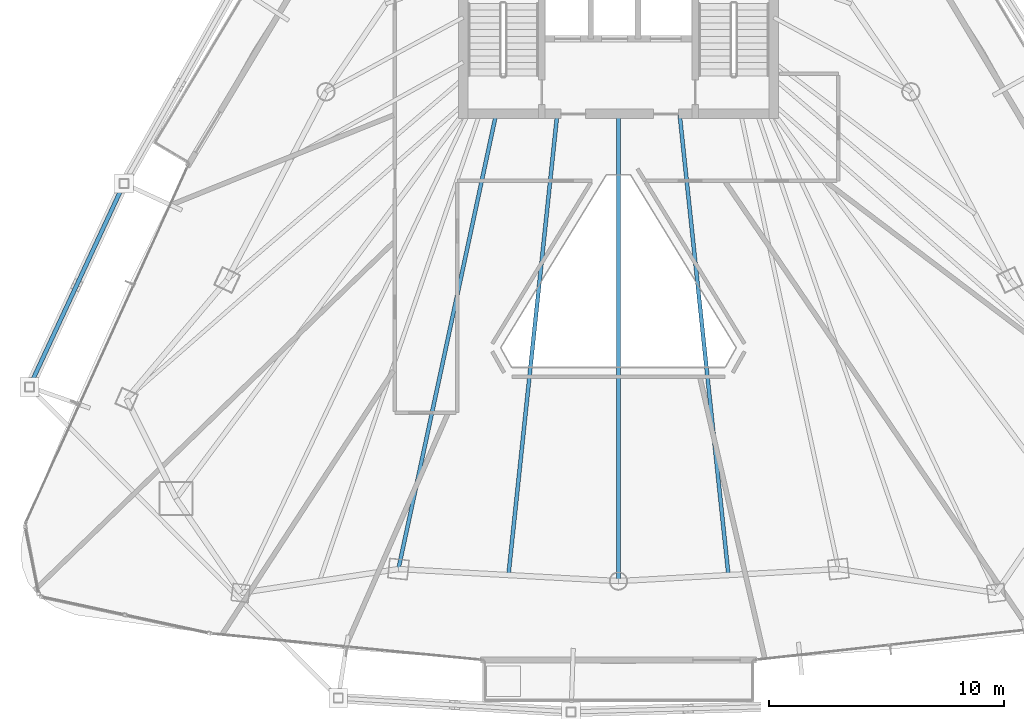
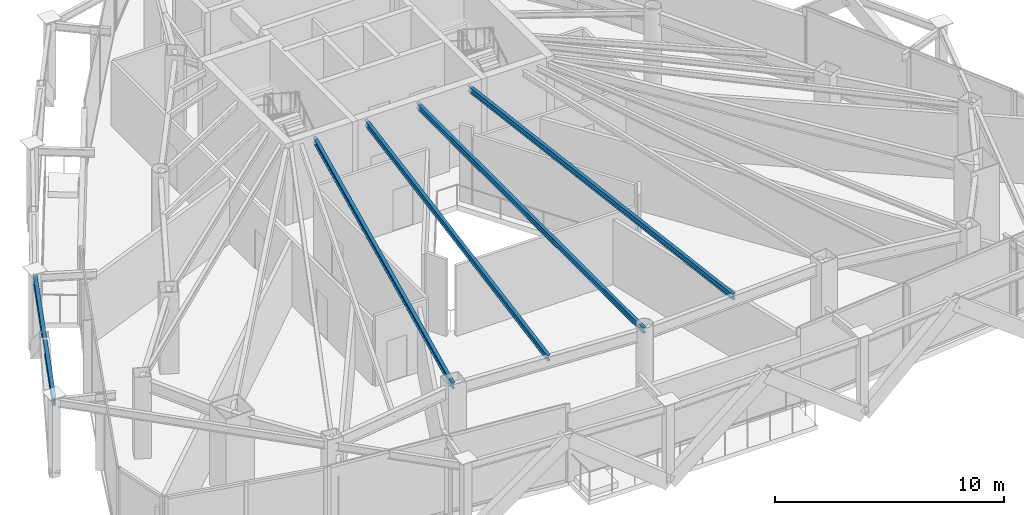
# One storey, part 9 of 28: 5 beams.
"""IFC4 building model written with IfcOpenShell, lengths in metres."""

from ifc_helpers import new_model, si_unit, direction, frame, origin, origin_2d, place, context, subcontext, project, spatial, i_section, extrude, material, material_profile, profile_set, type_object, element, save


model = new_model("IFC4")

# Units and contexts
model_context = context("Model", 3, precision=1e-05, world=origin(), true_north=direction((0.0, 1.0)))
body_context = subcontext(model_context, "Body", "Model", "MODEL_VIEW")
ifc_project = project(units=[si_unit("LENGTHUNIT", "METRE"), si_unit("AREAUNIT", "SQUARE_METRE"), si_unit("VOLUMEUNIT", "CUBIC_METRE"), si_unit("PLANEANGLEUNIT", "RADIAN"), si_unit("MASSUNIT", "GRAM", prefix="KILO")], contexts=[model_context])

# Site, building, storey
site_placement = place(None, origin())
site = spatial("IfcSite", under=ifc_project, at=site_placement, CompositionType="ELEMENT")
building_placement = place(site_placement, origin())
building = spatial("IfcBuilding", under=site, at=building_placement, Name="Orvanel Arch Residences", CompositionType="ELEMENT")
storey_placement = place(building_placement, frame((0.0, 0.0, 146.300048828125)))
storey = spatial("IfcBuildingStorey", under=building, at=storey_placement, Name="L41", CompositionType="ELEMENT", Elevation=146.300048828125)

# Beams
ifc_material = material(Name="Structural steel AS/NZS 3679.1 Grade 300 (300 MPa)", Category="steel")
ifc_material_profile_1 = material_profile(ifc_material, i_section(OverallWidth=0.1650390625, OverallDepth=0.303955078125, WebThickness=0.006103515625, FlangeThickness=0.01025390625, at=origin_2d()), Name="310UB40.4")
ifc_profile_set_1 = profile_set([ifc_material_profile_1], Name="Structural steel AS/NZS 3679.1 Grade 300 (300 MPa)")
beam_type_1 = type_object("IfcBeamType", Name="BJ-310UB", PredefinedType="JOIST", material=ifc_profile_set_1)
beam_1_placement = place(storey_placement, frame((27.800048828125, 26.699951171875, 3.9580078125), z_axis=(-0.209808012425, -0.977742603103, 0.0), x_axis=(0.977742603103, -0.209808012425, 0.0)))
element("IfcBeam", 1, at=beam_1_placement, inside=storey, type_object=beam_type_1, Name="L41 SW Wing Floor Joist", PredefinedType="JOIST", context=body_context, shape_type="SweptSolid", body=[
    extrude(i_section(OverallWidth=0.1650390625, OverallDepth=0.303955078125, WebThickness=0.006103515625, FlangeThickness=0.01025390625, at=origin_2d()), origin(), (0.0, 0.0, 1.0), 19.785400390625),
])
beam_2_placement = place(storey_placement, frame((33.0, 26.699951171875, 3.9580078125), z_axis=(0.0, -1.0, 0.0), x_axis=(1.0, 0.0, 0.0)))
element("IfcBeam", 2, at=beam_2_placement, inside=storey, type_object=beam_type_1, Name="L41 SSW Wing Floor Joist", PredefinedType="JOIST", context=body_context, shape_type="SweptSolid", body=[
    extrude(i_section(OverallWidth=0.1650390625, OverallDepth=0.303955078125, WebThickness=0.006103515625, FlangeThickness=0.01025390625, at=origin_2d()), origin(), (0.0, 0.0, 1.0), 19.85595703125),
])
for number, where, z_axis, x_axis, name in (
    (3, (30.39990234375, 26.699951171875, 3.9580078125), (-0.105277340935, -0.994442900063, 0.0), (0.994442900063, -0.105277340935, 0.0), "L41 WSW2 Wing Floor Joist"),
    (4, (35.60009765625, 26.699951171875, 3.9580078125), (0.105277340935, -0.994442900063, 0.0), (0.994442900063, 0.105277340935, 0.0), "L41 ESE2 Wing Floor Joist"),
):
    element("IfcBeam", number, at=place(storey_placement, frame(where, z_axis=z_axis, x_axis=x_axis)), inside=storey, type_object=beam_type_1, Name=name, PredefinedType="JOIST", context=body_context, shape_type="SweptSolid", body=[
        extrude(i_section(OverallWidth=0.1650390625, OverallDepth=0.303955078125, WebThickness=0.006103515625, FlangeThickness=0.01025390625, at=origin_2d()), origin(), (0.0, 0.0, 1.0), 19.70947265625),
    ])
ifc_material_profile_2 = material_profile(ifc_material, i_section(OverallWidth=0.177978515625, OverallDepth=0.406005859375, WebThickness=0.0078125, FlangeThickness=0.0126953125, at=origin_2d()), Name="410UB59.7")
ifc_profile_set_2 = profile_set([ifc_material_profile_2], Name="Structural steel AS/NZS 3679.1 Grade 300 (300 MPa)")
beam_type_2 = type_object("IfcBeamType", Name="OB-410UB-EXT", PredefinedType="SPANDREL", material=ifc_profile_set_2)
beam_3_placement = place(storey_placement, frame((11.98291015625, 23.742919921875, 3.906982421875), z_axis=(-0.421506996804, -0.906825149433, 0.0), x_axis=(0.906825149433, -0.421506996804, 0.0)))
element("IfcBeam", 5, at=beam_3_placement, inside=storey, type_object=beam_type_2, Name="L41 Outer Perimeter Floor Ring Beam 03", PredefinedType="SPANDREL", context=body_context, shape_type="SweptSolid", body=[
    extrude(i_section(OverallWidth=0.177978515625, OverallDepth=0.406005859375, WebThickness=0.0078125, FlangeThickness=0.0126953125, at=origin_2d()), origin(), (0.0, 0.0, 1.0), 9.534423828125),
])

save(model, "model.ifc")
